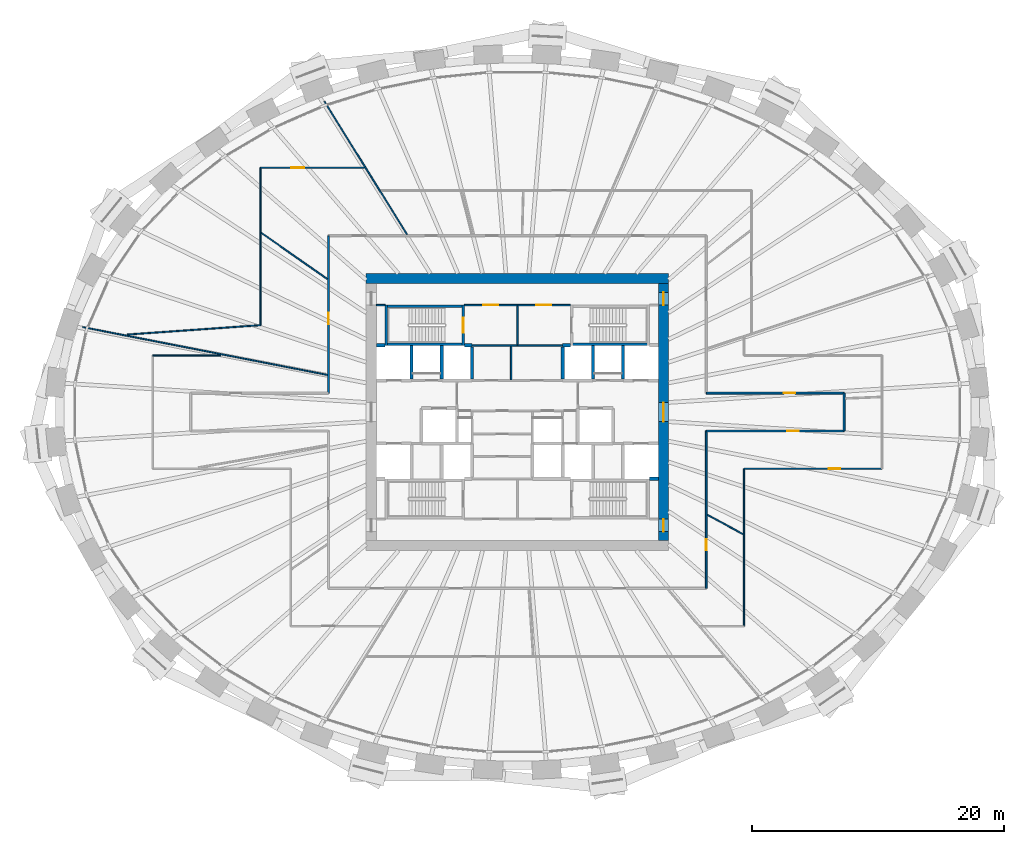
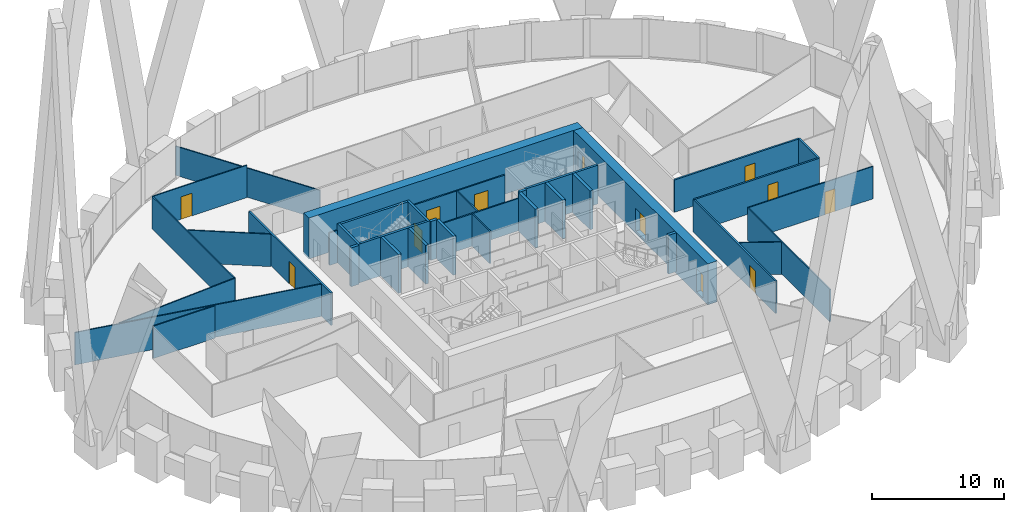
# One storey, part 9 of 12: 37 walls, 12 doors, 12 openings.
"""IFC4 building model written with IfcOpenShell, lengths in metres."""

from ifc_helpers import new_model, si_unit, direction, frame, frame_2d, origin, place, context, subcontext, project, spatial, rectangle, extrude, source, transform, mapped, material, layer, layer_set, type_object, element, fill, save


model = new_model("IFC4")

# Units and contexts
model_context = context("Model", 3, precision=1e-05, world=origin(), true_north=direction((0.0, 1.0)))
body_context = subcontext(model_context, "Body", "Model", "MODEL_VIEW")
ifc_project = project(units=[si_unit("LENGTHUNIT", "METRE"), si_unit("AREAUNIT", "SQUARE_METRE"), si_unit("VOLUMEUNIT", "CUBIC_METRE"), si_unit("PLANEANGLEUNIT", "RADIAN"), si_unit("MASSUNIT", "GRAM", prefix="KILO")], contexts=[model_context])

# Site, building, storey
site_placement = place(None, origin())
site = spatial("IfcSite", under=ifc_project, at=site_placement, CompositionType="ELEMENT")
building_placement = place(site_placement, origin())
building = spatial("IfcBuilding", under=site, at=building_placement, Name="Embergate Tower", CompositionType="ELEMENT")
storey_placement = place(building_placement, frame((0.0, 0.0, 191.10009765625)))
storey = spatial("IfcBuildingStorey", under=building, at=storey_placement, Name="L43", CompositionType="ELEMENT", Elevation=191.10009765625)

# Wall
ifc_material_1 = material(Name="Concrete C70", Category="concrete")
ifc_layer_1 = layer(ifc_material_1, 0.800048828125)
ifc_layer_set_1 = layer_set([ifc_layer_1], Name="Concrete C70")
wall_type_1 = type_object("IfcWallType", Name="Core outer wall C70 800", PredefinedType="SHEAR", material=ifc_layer_set_1)
shared_shape_1 = source(origin(), body_context, "Body", "SweptSolid", [
    extrude(rectangle(XDim=24.0, YDim=0.800048828125, at=frame_2d((12.0, 0.0))), origin(), (0.0, 0.0, 1.0), 3.800048828125),
])
wall_1_placement = place(storey_placement, frame((-12.0, 10.60009765625, -0.2001953125), z_axis=(0.0, 0.0, 1.0), x_axis=(1.0, 0.0, 0.0)))
element("IfcWall", 1, at=wall_1_placement, inside=storey, type_object=wall_type_1, Name="CW-L43-N", PredefinedType="SHEAR", context=body_context, shape_type="MappedRepresentation", body=[
    mapped(shared_shape_1, transform((0.0, 0.0, 0.0))),
])

# Wall, openings, doors
shared_shape_2 = source(origin(), body_context, "Body", "SweptSolid", [
    extrude(rectangle(XDim=20.39990234375, YDim=0.800048828125, at=frame_2d((10.199951171875, 0.0))), origin(), (0.0, 0.0, 1.0), 3.800048828125),
])
wall_2_placement = place(storey_placement, frame((11.60009765625, -10.199951171875, -0.2001953125), z_axis=(0.0, 0.0, 1.0), x_axis=(0.0, 1.0, 0.0)))
wall_2 = element("IfcWall", 2, at=wall_2_placement, inside=storey, type_object=wall_type_1, Name="CW-L43-E", PredefinedType="SHEAR", context=body_context, shape_type="MappedRepresentation", body=[
    mapped(shared_shape_2, transform((0.0, 0.0, 0.0))),
])
shared_shape_3 = source(origin(), body_context, "Body", "SweptSolid", [
    extrude(rectangle(XDim=1.0, YDim=2.10009765625, at=frame_2d((0.5, 1.050048828125))), frame((0.0, 0.409912109375, 0.0), z_axis=(0.0, -1.0, 0.0), x_axis=(1.0, 0.0, 0.0)), (0.0, 0.0, 1.0), 0.820068359375),
])
opening_1_placement = place(wall_2_placement, frame((18.699951171875, 0.0, 0.199951171875)))
opening_1 = element("IfcOpeningElement", 3, at=opening_1_placement, cuts=wall_2, Name="Opening IF-1d", PredefinedType="OPENING", context=body_context, shape_type="MappedRepresentation", body=[
    mapped(shared_shape_3, transform((0.0, 0.0, 0.0))),
])
opening_2_placement = place(wall_2_placement, frame((0.699951171875, 0.0, 0.199951171875)))
opening_2 = element("IfcOpeningElement", 4, at=opening_2_placement, cuts=wall_2, Name="Opening IF-1d", PredefinedType="OPENING", context=body_context, shape_type="MappedRepresentation", body=[
    mapped(shared_shape_3, transform((0.0, 0.0, 0.0))),
])
shared_shape_4 = source(origin(), body_context, "Body", "SweptSolid", [
    extrude(rectangle(XDim=1.5, YDim=2.10009765625, at=frame_2d((0.75, 1.050048828125))), frame((0.0, 0.409912109375, 0.0), z_axis=(0.0, -1.0, 0.0), x_axis=(1.0, 0.0, 0.0)), (0.0, 0.0, 1.0), 0.820068359375),
])
opening_3_placement = place(wall_2_placement, frame((9.449951171875, 0.0, 0.199951171875)))
opening_3 = element("IfcOpeningElement", 5, at=opening_3_placement, cuts=wall_2, Name="Opening IF-3", PredefinedType="OPENING", context=body_context, shape_type="MappedRepresentation", body=[
    mapped(shared_shape_4, transform((0.0, 0.0, 0.0))),
])
ifc_material_2 = material(Name="Lobby fire door pair 1500")
door_type_1 = type_object("IfcDoorType", Name="Lobby fire door pair 1500", OperationType="DOUBLE_DOOR_SINGLE_SWING", PredefinedType="DOOR", material=ifc_material_2)
shared_shape_5 = source(origin(), body_context, "Body", "SweptSolid", [
    extrude(rectangle(XDim=1.5, YDim=2.10009765625, at=frame_2d((0.75, 1.050048828125))), frame((0.0, 0.02490234375, 0.0), z_axis=(0.0, -1.0, 0.0), x_axis=(1.0, 0.0, 0.0)), (0.0, 0.0, 1.0), 0.050048828125),
])
door_1_placement = place(opening_3_placement, origin())
door_1 = element("IfcDoor", 6, at=door_1_placement, inside=storey, type_object=door_type_1, Name="IF-3 door", OperationType="DOUBLE_DOOR_SINGLE_SWING", OverallHeight=2.10009765625, OverallWidth=1.5, PredefinedType="DOOR", context=body_context, shape_type="MappedRepresentation", body=[
    mapped(shared_shape_5, transform((0.0, 0.0, 0.0))),
])
fill(opening_3, door_1)
ifc_material_3 = material(Name="Escape fire door 1000")
door_type_2 = type_object("IfcDoorType", Name="Escape fire door 1000", OperationType="SINGLE_SWING_LEFT", PredefinedType="DOOR", material=ifc_material_3)
shared_shape_6 = source(origin(), body_context, "Body", "SweptSolid", [
    extrude(rectangle(XDim=1.0, YDim=2.10009765625, at=frame_2d((0.5, 1.050048828125))), frame((0.0, 0.02490234375, 0.0), z_axis=(0.0, -1.0, 0.0), x_axis=(1.0, 0.0, 0.0)), (0.0, 0.0, 1.0), 0.050048828125),
])
door_2_placement = place(opening_1_placement, origin())
door_2 = element("IfcDoor", 7, at=door_2_placement, inside=storey, type_object=door_type_2, Name="IF-1 door", OperationType="SINGLE_SWING_LEFT", OverallHeight=2.10009765625, OverallWidth=1.0, PredefinedType="DOOR", context=body_context, shape_type="MappedRepresentation", body=[
    mapped(shared_shape_6, transform((0.0, 0.0, 0.0))),
])
fill(opening_1, door_2)
door_3_placement = place(opening_2_placement, origin())
door_3 = element("IfcDoor", 8, at=door_3_placement, inside=storey, type_object=door_type_2, Name="IF-1 door", OperationType="SINGLE_SWING_RIGHT", OverallHeight=2.10009765625, OverallWidth=1.0, PredefinedType="DOOR", context=body_context, shape_type="MappedRepresentation", body=[
    mapped(shared_shape_6, transform((0.0, 0.0, 0.0))),
])
fill(opening_2, door_3)

ifc_material_4 = material(Name="Core partition blockwork 120")
ifc_layer_2 = layer(ifc_material_4, 0.1201171875)
ifc_layer_set_2 = layer_set([ifc_layer_2], Name="Core partition blockwork 120")
wall_type_2 = type_object("IfcWallType", Name="Core partition blockwork 120", PredefinedType="PARTITIONING", material=ifc_layer_set_2)
shared_shape_7 = source(origin(), body_context, "Body", "SweptSolid", [
    extrude(rectangle(XDim=8.39990234375, YDim=0.1201171875, at=frame_2d((4.199951171875, 0.0))), origin(), (0.0, 0.0, 1.0), 3.0),
])
wall_3_placement = place(storey_placement, frame((4.199951171875, 8.5, 0.0), z_axis=(0.0, 0.0, 1.0), x_axis=(-1.0, 0.0, 0.0)))
wall_3 = element("IfcWall", 9, at=wall_3_placement, inside=storey, type_object=wall_type_2, Name="IP-3 wall", PredefinedType="PARTITIONING", context=body_context, shape_type="MappedRepresentation", body=[
    mapped(shared_shape_7, transform((0.0, 0.0, 0.0))),
])
shared_shape_8 = source(origin(), body_context, "Body", "SweptSolid", [
    extrude(rectangle(XDim=1.199951171875, YDim=2.10009765625, at=frame_2d((0.60009765625, 1.050048828125))), frame((0.0, 0.070068359375, 0.0), z_axis=(0.0, -1.0, 0.0), x_axis=(1.0, 0.0, 0.0)), (0.0, 0.0, 1.0), 0.14013671875),
])
opening_4_placement = place(wall_3_placement, frame((5.699951171875, 0.0, 0.0)))
opening_4 = element("IfcOpeningElement", 10, at=opening_4_placement, cuts=wall_3, Name="Opening IF-3f", PredefinedType="OPENING", context=body_context, shape_type="MappedRepresentation", body=[
    mapped(shared_shape_8, transform((0.0, 0.0, 0.0))),
])
opening_5_placement = place(wall_3_placement, frame((1.5, 0.0, 0.0)))
opening_5 = element("IfcOpeningElement", 11, at=opening_5_placement, cuts=wall_3, Name="Opening IF-3f", PredefinedType="OPENING", context=body_context, shape_type="MappedRepresentation", body=[
    mapped(shared_shape_8, transform((0.0, 0.0, 0.0))),
])
ifc_material_5 = material(Name="Lobby fire door pair 1200")
door_type_3 = type_object("IfcDoorType", Name="Lobby fire door pair 1200", OperationType="DOUBLE_DOOR_SINGLE_SWING", PredefinedType="DOOR", material=ifc_material_5)
shared_shape_9 = source(origin(), body_context, "Body", "SweptSolid", [
    extrude(rectangle(XDim=1.199951171875, YDim=2.10009765625, at=frame_2d((0.60009765625, 1.050048828125))), frame((0.0, 0.02490234375, 0.0), z_axis=(0.0, -1.0, 0.0), x_axis=(1.0, 0.0, 0.0)), (0.0, 0.0, 1.0), 0.050048828125),
])
door_4_placement = place(opening_4_placement, origin())
door_4 = element("IfcDoor", 12, at=door_4_placement, inside=storey, type_object=door_type_3, Name="IF-3 door", OperationType="DOUBLE_DOOR_SINGLE_SWING", OverallHeight=2.10009765625, OverallWidth=1.199951171875, PredefinedType="DOOR", context=body_context, shape_type="MappedRepresentation", body=[
    mapped(shared_shape_9, transform((0.0, 0.0, 0.0))),
])
fill(opening_4, door_4)
door_5_placement = place(opening_5_placement, origin())
door_5 = element("IfcDoor", 13, at=door_5_placement, inside=storey, type_object=door_type_3, Name="IF-3 door", OperationType="DOUBLE_DOOR_SINGLE_SWING", OverallHeight=2.10009765625, OverallWidth=1.199951171875, PredefinedType="DOOR", context=body_context, shape_type="MappedRepresentation", body=[
    mapped(shared_shape_9, transform((0.0, 0.0, 0.0))),
])
fill(opening_5, door_5)

# Walls
shared_shape_10 = source(origin(), body_context, "Body", "SweptSolid", [
    extrude(rectangle(XDim=2.679931640625, YDim=0.1201171875, at=frame_2d((1.33984375, 0.0))), origin(), (0.0, 0.0, 1.0), 3.0),
])
wall_4_placement = place(storey_placement, frame((-0.50390625, 2.56005859375, 0.0), z_axis=(0.0, 0.0, 1.0), x_axis=(0.0, 1.0, 0.0)))
element("IfcWall", 14, at=wall_4_placement, inside=storey, type_object=wall_type_2, Name="IP-3 wall", PredefinedType="PARTITIONING", context=body_context, shape_type="MappedRepresentation", body=[
    mapped(shared_shape_10, transform((0.0, 0.0, 0.0))),
])
ifc_material_6 = material(Name="Concrete C50", Category="concrete")
ifc_layer_3 = layer(ifc_material_6, 0.25)
ifc_layer_set_3 = layer_set([ifc_layer_3], Name="Concrete C50")
wall_type_3 = type_object("IfcWallType", Name="Hoistway wall reinforced concrete 250", PredefinedType="SHEAR", material=ifc_layer_set_3)
shared_shape_11 = source(origin(), body_context, "Body", "SweptSolid", [
    extrude(rectangle(XDim=2.675048828125, YDim=0.25, at=frame_2d((1.33740234375, 0.0))), origin(), (0.0, 0.0, 1.0), 3.599853515625),
])
for number, where, z_axis, x_axis, name in (
    (15, (-8.39990234375, 2.625, 0.0), (0.0, 0.0, 1.0), (0.0, 1.0, 0.0), "HW-1 wall"),
    (16, (-6.0, 2.625, 0.0), (0.0, 0.0, 1.0), (0.0, 1.0, 0.0), "HW-1 wall"),
    (17, (6.0, 2.625, 0.0), (0.0, 0.0, 1.0), (0.0, 1.0, 0.0), "HW-1 wall"),
    (18, (8.39990234375, 2.625, 0.0), (0.0, 0.0, 1.0), (0.0, 1.0, 0.0), "HW-1 wall"),
):
    element("IfcWall", number, at=place(storey_placement, frame(where, z_axis=z_axis, x_axis=x_axis)), inside=storey, type_object=wall_type_3, Name=name, PredefinedType="SHEAR", context=body_context, shape_type="MappedRepresentation", body=[
        mapped(shared_shape_11, transform((0.0, 0.0, 0.0))),
    ])
ifc_layer_4 = layer(ifc_material_6, 0.199951171875)
ifc_layer_set_4 = layer_set([ifc_layer_4], Name="Concrete C50")
wall_type_4 = type_object("IfcWallType", Name="Stair enclosure wall reinforced concrete 250", PredefinedType="SHEAR", material=ifc_layer_set_4)
shared_shape_12 = source(origin(), body_context, "Body", "SweptSolid", [
    extrude(rectangle(XDim=6.300048828125, YDim=0.199951171875, at=frame_2d((3.14990234375, 0.0))), origin(), (0.0, 0.0, 1.0), 3.599853515625),
])
for number, where, z_axis, x_axis, name in (
    (19, (-4.199951171875, 5.39990234375, 0.0), (0.0, 0.0, 1.0), (-1.0, 0.0, 0.0), "SE-1 wall"),
    (20, (10.5, 5.39990234375, 0.0), (0.0, 0.0, 1.0), (-1.0, 0.0, 0.0), "SE-1 wall"),
    (21, (-4.199951171875, 8.39990234375, 0.0), (0.0, 0.0, 1.0), (-1.0, 0.0, 0.0), "SE-1 wall"),
):
    element("IfcWall", number, at=place(storey_placement, frame(where, z_axis=z_axis, x_axis=x_axis)), inside=storey, type_object=wall_type_4, Name=name, PredefinedType="SHEAR", context=body_context, shape_type="MappedRepresentation", body=[
        mapped(shared_shape_12, transform((0.0, 0.0, 0.0))),
    ])
shared_shape_13 = source(origin(), body_context, "Body", "SweptSolid", [
    extrude(rectangle(XDim=2.550048828125, YDim=0.25, at=frame_2d((1.27490234375, 0.0))), origin(), (0.0, 0.0, 1.0), 3.599853515625),
])
for number, where, z_axis, x_axis, name in (
    (22, (-3.60009765625, 2.625, 0.0), (0.0, 0.0, 1.0), (0.0, 1.0, 0.0), "HW-1 wall"),
    (23, (3.60009765625, 5.175048828125, 0.0), (0.0, 0.0, 1.0), (0.0, -1.0, 0.0), "HW-1 wall"),
):
    element("IfcWall", number, at=place(storey_placement, frame(where, z_axis=z_axis, x_axis=x_axis)), inside=storey, type_object=wall_type_3, Name=name, PredefinedType="SHEAR", context=body_context, shape_type="MappedRepresentation", body=[
        mapped(shared_shape_13, transform((0.0, 0.0, 0.0))),
    ])

# Wall, opening, door
shared_shape_14 = source(origin(), body_context, "Body", "SweptSolid", [
    extrude(rectangle(XDim=3.199951171875, YDim=0.199951171875, at=frame_2d((1.60009765625, 0.0))), origin(), (0.0, 0.0, 1.0), 3.599853515625),
])
wall_5_placement = place(storey_placement, frame((-4.300048828125, 5.300048828125, 0.0), z_axis=(0.0, 0.0, 1.0), x_axis=(0.0, 1.0, 0.0)))
wall_5 = element("IfcWall", 24, at=wall_5_placement, inside=storey, type_object=wall_type_4, Name="SE-1 wall", PredefinedType="SHEAR", context=body_context, shape_type="MappedRepresentation", body=[
    mapped(shared_shape_14, transform((0.0, 0.0, 0.0))),
])
shared_shape_15 = source(origin(), body_context, "Body", "SweptSolid", [
    extrude(rectangle(XDim=1.199951171875, YDim=2.10009765625, at=frame_2d((0.60009765625, 1.050048828125))), frame((0.0, 0.10986328125, 0.0), z_axis=(0.0, -1.0, 0.0), x_axis=(1.0, 0.0, 0.0)), (0.0, 0.0, 1.0), 0.219970703125),
])
opening_6_placement = place(wall_5_placement, frame((1.0, 0.0, 0.0)))
opening_6 = element("IfcOpeningElement", 25, at=opening_6_placement, cuts=wall_5, Name="Opening IF-2", PredefinedType="OPENING", context=body_context, shape_type="MappedRepresentation", body=[
    mapped(shared_shape_15, transform((0.0, 0.0, 0.0))),
])
ifc_material_7 = material(Name="Stair enclosure door 1200")
door_type_4 = type_object("IfcDoorType", Name="Stair enclosure door 1200", OperationType="SINGLE_SWING_LEFT", PredefinedType="DOOR", material=ifc_material_7)
door_6_placement = place(opening_6_placement, origin())
door_6 = element("IfcDoor", 26, at=door_6_placement, inside=storey, type_object=door_type_4, Name="IF-2 door", OperationType="SINGLE_SWING_LEFT", OverallHeight=2.10009765625, OverallWidth=1.199951171875, PredefinedType="DOOR", context=body_context, shape_type="MappedRepresentation", body=[
    mapped(shared_shape_9, transform((0.0, 0.0, 0.0))),
])
fill(opening_6, door_6)

# Walls
shared_shape_16 = source(origin(), body_context, "Body", "SweptSolid", [
    extrude(rectangle(XDim=7.2001953125, YDim=0.1201171875, at=frame_2d((3.60009765625, 0.0))), origin(), (0.0, 0.0, 1.0), 3.0),
])
wall_6_placement = place(storey_placement, frame((-3.60009765625, 5.300048828125, 0.0), z_axis=(0.0, 0.0, 1.0), x_axis=(1.0, 0.0, 0.0)))
element("IfcWall", 27, at=wall_6_placement, inside=storey, type_object=wall_type_2, Name="IP-3 wall", PredefinedType="PARTITIONING", context=body_context, shape_type="MappedRepresentation", body=[
    mapped(shared_shape_16, transform((0.0, 0.0, 0.0))),
])
shared_shape_17 = source(origin(), body_context, "Body", "SweptSolid", [
    extrude(rectangle(XDim=3.079833984375, YDim=0.1201171875, at=frame_2d((1.5400390625, 0.0))), origin(), (0.0, 0.0, 1.0), 3.0),
])
wall_7_placement = place(storey_placement, frame((0.0, 5.360107421875, 0.0), z_axis=(0.0, 0.0, 1.0), x_axis=(0.0, 1.0, 0.0)))
element("IfcWall", 28, at=wall_7_placement, inside=storey, type_object=wall_type_2, Name="IP-3 wall", PredefinedType="PARTITIONING", context=body_context, shape_type="MappedRepresentation", body=[
    mapped(shared_shape_17, transform((0.0, 0.0, 0.0))),
])
shared_shape_18 = source(origin(), body_context, "Body", "SweptSolid", [
    extrude(rectangle(XDim=0.697998046875, YDim=0.1201171875, at=frame_2d((0.34912109375, 0.0))), origin(), (0.0, 0.0, 1.0), 3.0),
])
wall_8_placement = place(storey_placement, frame((-11.199951171875, 8.5, 0.0), z_axis=(0.0, 0.0, 1.0), x_axis=(1.0, 0.0, 0.0)))
element("IfcWall", 29, at=wall_8_placement, inside=storey, type_object=wall_type_2, Name="IP-3 wall", PredefinedType="PARTITIONING", context=body_context, shape_type="MappedRepresentation", body=[
    mapped(shared_shape_18, transform((0.0, 0.0, 0.0))),
])

# Wall, opening, door
ifc_material_8 = material(Name="Corridor wall dry-lined 150 wet")
ifc_layer_5 = layer(ifc_material_8, 0.14990234375)
ifc_layer_set_5 = layer_set([ifc_layer_5], Name="Corridor wall dry-lined 150 wet")
wall_type_5 = type_object("IfcWallType", Name="Corridor wall dry-lined 150 wet", PredefinedType="PLUMBINGWALL", material=ifc_layer_set_5)
shared_shape_19 = source(origin(), body_context, "Body", "SweptSolid", [
    extrude(rectangle(XDim=12.5, YDim=0.14990234375, at=frame_2d((6.25, 0.0))), origin(), (0.0, 0.0, 1.0), 3.0),
])
wall_9_placement = place(storey_placement, frame((15.0, -1.5, 0.0), z_axis=(0.0, 0.0, 1.0), x_axis=(0.0, -1.0, 0.0)))
wall_9 = element("IfcWall", 30, at=wall_9_placement, inside=storey, type_object=wall_type_5, Name="IP-2 wall", PredefinedType="PLUMBINGWALL", context=body_context, shape_type="MappedRepresentation", body=[
    mapped(shared_shape_19, transform((0.0, 0.0, 0.0))),
])
shared_shape_20 = source(origin(), body_context, "Body", "SweptSolid", [
    extrude(rectangle(XDim=0.89990234375, YDim=2.10009765625, at=frame_2d((0.449951171875, 1.050048828125))), frame((0.0, 0.0849609375, 0.0), z_axis=(0.0, -1.0, 0.0), x_axis=(1.0, 0.0, 0.0)), (0.0, 0.0, 1.0), 0.169921875),
])
opening_7_placement = place(wall_9_placement, frame((8.580078125, 0.0, 0.0)))
opening_7 = element("IfcOpeningElement", 31, at=opening_7_placement, cuts=wall_9, Name="Opening IF-1c", PredefinedType="OPENING", context=body_context, shape_type="MappedRepresentation", body=[
    mapped(shared_shape_20, transform((0.0, 0.0, 0.0))),
])
ifc_material_9 = material(Name="Escape fire door 900")
door_type_5 = type_object("IfcDoorType", Name="Escape fire door 900", OperationType="SINGLE_SWING_LEFT", PredefinedType="DOOR", material=ifc_material_9)
shared_shape_21 = source(origin(), body_context, "Body", "SweptSolid", [
    extrude(rectangle(XDim=0.89990234375, YDim=2.10009765625, at=frame_2d((0.449951171875, 1.050048828125))), frame((0.0, 0.02490234375, 0.0), z_axis=(0.0, -1.0, 0.0), x_axis=(1.0, 0.0, 0.0)), (0.0, 0.0, 1.0), 0.050048828125),
])
door_7_placement = place(opening_7_placement, origin())
door_7 = element("IfcDoor", 32, at=door_7_placement, inside=storey, type_object=door_type_5, Name="IF-1 door", OperationType="SINGLE_SWING_LEFT", OverallHeight=2.10009765625, OverallWidth=0.89990234375, PredefinedType="DOOR", context=body_context, shape_type="MappedRepresentation", body=[
    mapped(shared_shape_21, transform((0.0, 0.0, 0.0))),
])
fill(opening_7, door_7)

ifc_material_10 = material(Name="Corridor wall dry-lined 150")
ifc_layer_6 = layer(ifc_material_10, 0.14990234375)
ifc_layer_set_6 = layer_set([ifc_layer_6], Name="Corridor wall dry-lined 150")
wall_type_6 = type_object("IfcWallType", Name="Corridor wall dry-lined 150", PredefinedType="PARTITIONING", material=ifc_layer_set_6)
wall_10_placement = place(storey_placement, frame((-15.0, 1.5, 0.0), z_axis=(0.0, 0.0, 1.0), x_axis=(0.0, 1.0, 0.0)))
wall_10 = element("IfcWall", 33, at=wall_10_placement, inside=storey, type_object=wall_type_6, Name="IP-2 wall", PredefinedType="PARTITIONING", context=body_context, shape_type="MappedRepresentation", body=[
    mapped(shared_shape_19, transform((0.0, 0.0, 0.0))),
])
opening_8_placement = place(wall_10_placement, frame((5.491943359375, 0.0, 0.0)))
opening_8 = element("IfcOpeningElement", 34, at=opening_8_placement, cuts=wall_10, Name="Opening IF-1c", PredefinedType="OPENING", context=body_context, shape_type="MappedRepresentation", body=[
    mapped(shared_shape_20, transform((0.0, 0.0, 0.0))),
])
door_8_placement = place(opening_8_placement, origin())
door_8 = element("IfcDoor", 35, at=door_8_placement, inside=storey, type_object=door_type_5, Name="IF-1 door", OperationType="SINGLE_SWING_LEFT", OverallHeight=2.10009765625, OverallWidth=0.89990234375, PredefinedType="DOOR", context=body_context, shape_type="MappedRepresentation", body=[
    mapped(shared_shape_21, transform((0.0, 0.0, 0.0))),
])
fill(opening_8, door_8)

# Wall
shared_shape_22 = source(origin(), body_context, "Body", "SweptSolid", [
    extrude(rectangle(XDim=3.0, YDim=0.14990234375, at=frame_2d((1.5, 0.0))), origin(), (0.0, 0.0, 1.0), 3.0),
])
wall_11_placement = place(storey_placement, frame((25.949951171875, 1.5, 0.0), z_axis=(0.0, 0.0, 1.0), x_axis=(0.0, -1.0, 0.0)))
element("IfcWall", 36, at=wall_11_placement, inside=storey, type_object=wall_type_5, Name="IP-2 wall", PredefinedType="PLUMBINGWALL", context=body_context, shape_type="MappedRepresentation", body=[
    mapped(shared_shape_22, transform((0.0, 0.0, 0.0))),
])

# Wall, opening, door
shared_shape_23 = source(origin(), body_context, "Body", "SweptSolid", [
    extrude(rectangle(XDim=10.949951171875, YDim=0.14990234375, at=frame_2d((5.47509765625, 0.0))), origin(), (0.0, 0.0, 1.0), 3.0),
])
wall_12_placement = place(storey_placement, frame((25.949951171875, -1.5, 0.0), z_axis=(0.0, 0.0, 1.0), x_axis=(-1.0, 0.0, 0.0)))
wall_12 = element("IfcWall", 37, at=wall_12_placement, inside=storey, type_object=wall_type_5, Name="IP-2 wall", PredefinedType="PLUMBINGWALL", context=body_context, shape_type="MappedRepresentation", body=[
    mapped(shared_shape_23, transform((0.0, 0.0, 0.0))),
])
opening_9_placement = place(wall_12_placement, frame((3.60791015625, 0.0, 0.0)))
opening_9 = element("IfcOpeningElement", 38, at=opening_9_placement, cuts=wall_12, Name="Opening IF-1c", PredefinedType="OPENING", context=body_context, shape_type="MappedRepresentation", body=[
    mapped(shared_shape_20, transform((0.0, 0.0, 0.0))),
])
door_9_placement = place(opening_9_placement, origin())
door_9 = element("IfcDoor", 39, at=door_9_placement, inside=storey, type_object=door_type_5, Name="IF-1 door", OperationType="SINGLE_SWING_RIGHT", OverallHeight=2.10009765625, OverallWidth=0.89990234375, PredefinedType="DOOR", context=body_context, shape_type="MappedRepresentation", body=[
    mapped(shared_shape_21, transform((0.0, 0.0, 0.0))),
])
fill(opening_9, door_9)

wall_13_placement = place(storey_placement, frame((15.0, 1.5, 0.0), z_axis=(0.0, 0.0, 1.0), x_axis=(1.0, 0.0, 0.0)))
wall_13 = element("IfcWall", 40, at=wall_13_placement, inside=storey, type_object=wall_type_5, Name="IP-2 wall", PredefinedType="PLUMBINGWALL", context=body_context, shape_type="MappedRepresentation", body=[
    mapped(shared_shape_23, transform((0.0, 0.0, 0.0))),
])
opening_10_placement = place(wall_13_placement, frame((6.158935546875, 0.0, 0.0)))
opening_10 = element("IfcOpeningElement", 41, at=opening_10_placement, cuts=wall_13, Name="Opening IF-1c", PredefinedType="OPENING", context=body_context, shape_type="MappedRepresentation", body=[
    mapped(shared_shape_20, transform((0.0, 0.0, 0.0))),
])
door_10_placement = place(opening_10_placement, origin())
door_10 = element("IfcDoor", 42, at=door_10_placement, inside=storey, type_object=door_type_5, Name="IF-1 door", OperationType="SINGLE_SWING_RIGHT", OverallHeight=2.10009765625, OverallWidth=0.89990234375, PredefinedType="DOOR", context=body_context, shape_type="MappedRepresentation", body=[
    mapped(shared_shape_21, transform((0.0, 0.0, 0.0))),
])
fill(opening_10, door_10)

# Walls
ifc_material_11 = material(Name="Partition dry-lined 100")
ifc_layer_7 = layer(ifc_material_11, 0.10009765625)
ifc_layer_set_7 = layer_set([ifc_layer_7], Name="Partition dry-lined 100")
wall_type_7 = type_object("IfcWallType", Name="Partition dry-lined 100", PredefinedType="PARTITIONING", material=ifc_layer_set_7)
shared_shape_24 = source(origin(), body_context, "Body", "SweptSolid", [
    extrude(rectangle(XDim=12.42578125, YDim=0.10009765625, at=frame_2d((6.212890625, 0.0))), origin(), (0.0, 0.0, 1.0), 2.699951171875),
])
wall_14_placement = place(storey_placement, frame((-15.31689453125, 24.656005859375, 0.0), z_axis=(0.0, 0.0, 1.0), x_axis=(0.527685134625, -0.849440050089, 0.0)))
element("IfcWall", 43, at=wall_14_placement, inside=storey, type_object=wall_type_7, Name="IP-1 wall", PredefinedType="PARTITIONING", context=body_context, shape_type="MappedRepresentation", body=[
    mapped(shared_shape_24, transform((0.0, 0.0, 0.0))),
])
ifc_material_12 = material(Name="Partition dry-lined 100 wet")
ifc_layer_8 = layer(ifc_material_12, 0.10009765625)
ifc_layer_set_8 = layer_set([ifc_layer_8], Name="Partition dry-lined 100 wet")
wall_type_8 = type_object("IfcWallType", Name="Partition dry-lined 100 wet", PredefinedType="PLUMBINGWALL", material=ifc_layer_set_8)
shared_shape_25 = source(origin(), body_context, "Body", "SweptSolid", [
    extrude(rectangle(XDim=3.21435546875, YDim=0.10009765625, at=frame_2d((1.607177734375, 0.0))), origin(), (0.0, 0.0, 1.0), 3.0),
])
wall_15_placement = place(storey_placement, frame((15.09912109375, -8.166015625, 0.0), z_axis=(0.0, 0.0, 1.0), x_axis=(0.879449633677, -0.475991955631, 0.0)))
element("IfcWall", 44, at=wall_15_placement, inside=storey, type_object=wall_type_8, Name="IP-1 wall", PredefinedType="PLUMBINGWALL", context=body_context, shape_type="MappedRepresentation", body=[
    mapped(shared_shape_25, transform((0.0, 0.0, 0.0))),
])
shared_shape_26 = source(origin(), body_context, "Body", "SweptSolid", [
    extrude(rectangle(XDim=12.5, YDim=0.10009765625, at=frame_2d((6.25, 0.0))), origin(), (0.0, 0.0, 1.0), 3.0),
])
wall_16_placement = place(storey_placement, frame((18.0, -17.0, 0.0), z_axis=(0.0, 0.0, 1.0), x_axis=(0.0, 1.0, 0.0)))
element("IfcWall", 45, at=wall_16_placement, inside=storey, type_object=wall_type_8, Name="IP-1 wall", PredefinedType="PLUMBINGWALL", context=body_context, shape_type="MappedRepresentation", body=[
    mapped(shared_shape_26, transform((0.0, 0.0, 0.0))),
])
wall_17_placement = place(storey_placement, frame((-20.39990234375, 19.39990234375, 0.0), z_axis=(0.0, 0.0, 1.0), x_axis=(0.0, -1.0, 0.0)))
element("IfcWall", 46, at=wall_17_placement, inside=storey, type_object=wall_type_7, Name="IP-1 wall", PredefinedType="PARTITIONING", context=body_context, shape_type="MappedRepresentation", body=[
    mapped(shared_shape_26, transform((0.0, 0.0, 0.0))),
])

# Wall, opening, door
shared_shape_27 = source(origin(), body_context, "Body", "SweptSolid", [
    extrude(rectangle(XDim=10.949951171875, YDim=0.10009765625, at=frame_2d((5.47509765625, 0.0))), origin(), (0.0, 0.0, 1.0), 3.0),
])
wall_18_placement = place(storey_placement, frame((28.949951171875, -4.5, 0.0), z_axis=(0.0, 0.0, 1.0), x_axis=(-1.0, 0.0, 0.0)))
wall_18 = element("IfcWall", 47, at=wall_18_placement, inside=storey, type_object=wall_type_8, Name="IP-1 wall", PredefinedType="PLUMBINGWALL", context=body_context, shape_type="MappedRepresentation", body=[
    mapped(shared_shape_27, transform((0.0, 0.0, 0.0))),
])
shared_shape_28 = source(origin(), body_context, "Body", "SweptSolid", [
    extrude(rectangle(XDim=0.89990234375, YDim=2.10009765625, at=frame_2d((0.449951171875, 1.050048828125))), frame((0.0, 0.06005859375, 0.0), z_axis=(0.0, -1.0, 0.0), x_axis=(1.0, 0.0, 0.0)), (0.0, 0.0, 1.0), 0.1201171875),
])
opening_11_placement = place(wall_18_placement, frame((3.323974609375, 0.0, 0.0)))
opening_11 = element("IfcOpeningElement", 48, at=opening_11_placement, cuts=wall_18, Name="Opening ID-1", PredefinedType="OPENING", context=body_context, shape_type="MappedRepresentation", body=[
    mapped(shared_shape_28, transform((0.0, 0.0, 0.0))),
])
ifc_material_13 = material(Name="Interior door 900")
door_type_6 = type_object("IfcDoorType", Name="Interior door 900", OperationType="SINGLE_SWING_LEFT", PredefinedType="DOOR", material=ifc_material_13)
door_11_placement = place(opening_11_placement, origin())
door_11 = element("IfcDoor", 49, at=door_11_placement, inside=storey, type_object=door_type_6, Name="ID-1 door", OperationType="SINGLE_SWING_RIGHT", OverallHeight=2.10009765625, OverallWidth=0.89990234375, PredefinedType="DOOR", context=body_context, shape_type="MappedRepresentation", body=[
    mapped(shared_shape_21, transform((0.0, 0.0, 0.0))),
])
fill(opening_11, door_11)

# Wall
shared_shape_29 = source(origin(), body_context, "Body", "SweptSolid", [
    extrude(rectangle(XDim=6.36767578125, YDim=0.10009765625, at=frame_2d((3.183837890625, 0.0))), origin(), (0.0, 0.0, 1.0), 3.0),
])
wall_19_placement = place(storey_placement, frame((-15.10400390625, 10.569091796875, 0.0), z_axis=(0.0, 0.0, 1.0), x_axis=(-0.819309367064, 0.573351690537, 0.0)))
element("IfcWall", 50, at=wall_19_placement, inside=storey, type_object=wall_type_7, Name="IP-1 wall", PredefinedType="PARTITIONING", context=body_context, shape_type="MappedRepresentation", body=[
    mapped(shared_shape_29, transform((0.0, 0.0, 0.0))),
])

# Wall, opening, door
shared_shape_30 = source(origin(), body_context, "Body", "SweptSolid", [
    extrude(rectangle(XDim=8.2578125, YDim=0.10009765625, at=frame_2d((4.12890625, 0.0))), origin(), (0.0, 0.0, 1.0), 3.0),
])
wall_20_placement = place(storey_placement, frame((-12.14208984375, 19.39990234375, 0.0), z_axis=(0.0, 0.0, 1.0), x_axis=(-1.0, 0.0, 0.0)))
wall_20 = element("IfcWall", 51, at=wall_20_placement, inside=storey, type_object=wall_type_7, Name="IP-1 wall", PredefinedType="PARTITIONING", context=body_context, shape_type="MappedRepresentation", body=[
    mapped(shared_shape_30, transform((0.0, 0.0, 0.0))),
])
shared_shape_31 = source(origin(), body_context, "Body", "SweptSolid", [
    extrude(rectangle(XDim=1.0, YDim=2.10009765625, at=frame_2d((0.5, 1.050048828125))), frame((0.0, 0.06005859375, 0.0), z_axis=(0.0, -1.0, 0.0), x_axis=(1.0, 0.0, 0.0)), (0.0, 0.0, 1.0), 0.1201171875),
])
opening_12_placement = place(wall_20_placement, frame((4.798828125, 0.0, 0.0)))
opening_12 = element("IfcOpeningElement", 52, at=opening_12_placement, cuts=wall_20, Name="Opening ID-2", PredefinedType="OPENING", context=body_context, shape_type="MappedRepresentation", body=[
    mapped(shared_shape_31, transform((0.0, 0.0, 0.0))),
])
ifc_material_14 = material(Name="Interior door 1000")
door_type_7 = type_object("IfcDoorType", Name="Interior door 1000", OperationType="SINGLE_SWING_LEFT", PredefinedType="DOOR", material=ifc_material_14)
door_12_placement = place(opening_12_placement, origin())
door_12 = element("IfcDoor", 53, at=door_12_placement, inside=storey, type_object=door_type_7, Name="ID-2 door", OperationType="SINGLE_SWING_LEFT", OverallHeight=2.10009765625, OverallWidth=1.0, PredefinedType="DOOR", context=body_context, shape_type="MappedRepresentation", body=[
    mapped(shared_shape_6, transform((0.0, 0.0, 0.0))),
])
fill(opening_12, door_12)

# Walls
shared_shape_32 = source(origin(), body_context, "Body", "SweptSolid", [
    extrude(rectangle(XDim=19.802001953125, YDim=0.10009765625, at=frame_2d((9.90087890625, 0.0))), origin(), (0.0, 0.0, 1.0), 3.0),
])
wall_21_placement = place(storey_placement, frame((-15.0849609375, 2.948974609375, 0.0), z_axis=(0.0, 0.0, 1.0), x_axis=(-0.981423551957, 0.191853620411, 0.0)))
element("IfcWall", 54, at=wall_21_placement, inside=storey, type_object=wall_type_7, Name="IP-1 wall", PredefinedType="PARTITIONING", context=body_context, shape_type="MappedRepresentation", body=[
    mapped(shared_shape_32, transform((0.0, 0.0, 0.0))),
])
shared_shape_33 = source(origin(), body_context, "Body", "SweptSolid", [
    extrude(rectangle(XDim=10.600341796875, YDim=0.10009765625, at=frame_2d((5.30029296875, 0.0))), origin(), (0.0, 0.0, 1.0), 3.0),
])
wall_22_placement = place(storey_placement, frame((-30.97412109375, 6.155029296875, 0.0), z_axis=(0.0, 0.0, 1.0), x_axis=(0.99752813164, 0.070268247359, 0.0)))
element("IfcWall", 55, at=wall_22_placement, inside=storey, type_object=wall_type_7, Name="IP-1 wall", PredefinedType="PARTITIONING", context=body_context, shape_type="MappedRepresentation", body=[
    mapped(shared_shape_33, transform((0.0, 0.0, 0.0))),
])
shared_shape_34 = source(origin(), body_context, "Body", "SweptSolid", [
    extrude(rectangle(XDim=5.4140625, YDim=0.10009765625, at=frame_2d((2.70703125, 0.0))), origin(), (0.0, 0.0, 1.0), 3.0),
])
wall_23_placement = place(storey_placement, frame((-28.949951171875, 4.5, 0.0), z_axis=(0.0, 0.0, 1.0), x_axis=(1.0, 0.0, 0.0)))
element("IfcWall", 56, at=wall_23_placement, inside=storey, type_object=wall_type_7, Name="IP-1 wall", PredefinedType="PARTITIONING", context=body_context, shape_type="MappedRepresentation", body=[
    mapped(shared_shape_34, transform((0.0, 0.0, 0.0))),
])
shared_shape_35 = source(origin(), body_context, "Body", "SweptSolid", [
    extrude(rectangle(XDim=0.599853515625, YDim=0.25, at=frame_2d((0.2998046875, 0.0))), origin(), (0.0, 0.0, 1.0), 3.599853515625),
])
for number, where, z_axis, x_axis, name in (
    (57, (-3.60009765625, 5.300048828125, 0.0), (0.0, 0.0, 1.0), (-1.0, 0.0, 0.0), "HW-1 wall"),
    (58, (4.199951171875, 5.300048828125, 0.0), (0.0, 0.0, 1.0), (-1.0, 0.0, 0.0), "HW-1 wall"),
):
    element("IfcWall", number, at=place(storey_placement, frame(where, z_axis=z_axis, x_axis=x_axis)), inside=storey, type_object=wall_type_3, Name=name, PredefinedType="SHEAR", context=body_context, shape_type="MappedRepresentation", body=[
        mapped(shared_shape_35, transform((0.0, 0.0, 0.0))),
    ])
shared_shape_36 = source(origin(), body_context, "Body", "SweptSolid", [
    extrude(rectangle(XDim=3.196044921875, YDim=0.199951171875, at=frame_2d((1.59814453125, 0.0))), origin(), (0.0, 0.0, 1.0), 3.599853515625),
])
wall_24_placement = place(storey_placement, frame((-10.39990234375, 8.498046875, 0.0), z_axis=(0.0, 0.0, 1.0), x_axis=(0.0, -1.0, 0.0)))
element("IfcWall", 59, at=wall_24_placement, inside=storey, type_object=wall_type_4, Name="SE-1 wall", PredefinedType="SHEAR", context=body_context, shape_type="MappedRepresentation", body=[
    mapped(shared_shape_36, transform((0.0, 0.0, 0.0))),
])
shared_shape_37 = source(origin(), body_context, "Body", "SweptSolid", [
    extrude(rectangle(XDim=0.697998046875, YDim=0.25, at=frame_2d((0.34912109375, 0.0))), origin(), (0.0, 0.0, 1.0), 3.599853515625),
])
for number, where, z_axis, x_axis, name in (
    (60, (-10.501953125, 5.300048828125, 0.0), (0.0, 0.0, 1.0), (-1.0, 0.0, 0.0), "HW-1 wall"),
    (61, (10.501953125, -5.300048828125, 0.0), (0.0, 0.0, 1.0), (1.0, 0.0, 0.0), "HW-1 wall"),
):
    element("IfcWall", number, at=place(storey_placement, frame(where, z_axis=z_axis, x_axis=x_axis)), inside=storey, type_object=wall_type_3, Name=name, PredefinedType="SHEAR", context=body_context, shape_type="MappedRepresentation", body=[
        mapped(shared_shape_37, transform((0.0, 0.0, 0.0))),
    ])

save(model, "model.ifc")
